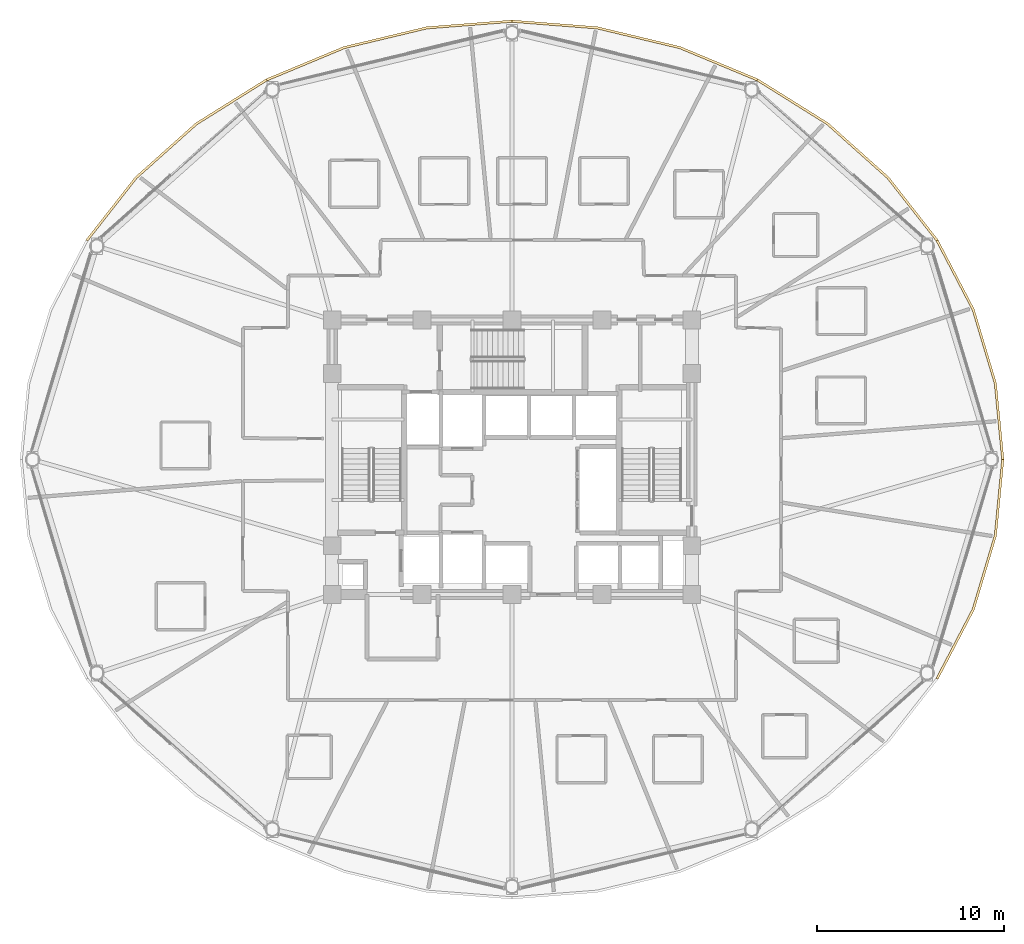
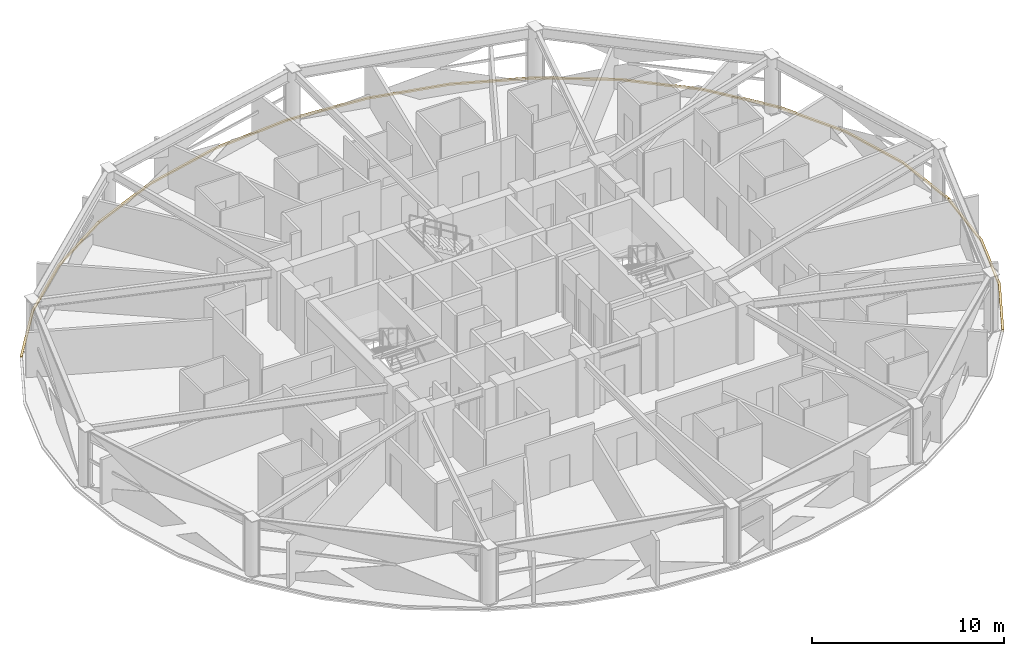
# One storey, part 32 of 32: 6 coverings.
"""IFC4 building model written with IfcOpenShell, lengths in metres."""

from ifc_helpers import new_model, si_unit, direction, frame, origin, place, context, subcontext, project, spatial, polyline, outline, extrude, material, layer, layer_set, type_object, element, save


model = new_model("IFC4")

# Units and contexts
model_context = context("Model", 3, precision=1e-05, world=origin(), true_north=direction((0.0, 1.0)))
body_context = subcontext(model_context, "Body", "Model", "MODEL_VIEW")
ifc_project = project(units=[si_unit("LENGTHUNIT", "METRE"), si_unit("AREAUNIT", "SQUARE_METRE"), si_unit("VOLUMEUNIT", "CUBIC_METRE"), si_unit("PLANEANGLEUNIT", "RADIAN"), si_unit("MASSUNIT", "GRAM", prefix="KILO")], contexts=[model_context])

# Site, building, storey
site_placement = place(None, origin())
site = spatial("IfcSite", under=ifc_project, at=site_placement, CompositionType="ELEMENT")
building_placement = place(site_placement, origin())
building = spatial("IfcBuilding", under=site, at=building_placement, Name="Vantalir Tower", CompositionType="ELEMENT")
storey_placement = place(building_placement, frame((0.0, 0.0, 108.449951171875)))
storey = spatial("IfcBuildingStorey", under=building, at=storey_placement, Name="L26", CompositionType="ELEMENT", Elevation=108.449951171875)

# Coverings
ifc_material = material(Name="Anodised champagne aluminium sill fascia", Category="aluminium")
ifc_layer = layer(ifc_material, 0.125)
ifc_layer_set = layer_set([ifc_layer], Name="Anodised champagne aluminium sill fascia")
covering_type = type_object("IfcCoveringType", Name="COV-SLAB-FASCIA-125", PredefinedType="CLADDING", material=ifc_layer_set)
covering_1_placement = place(storey_placement, frame((0.0, 0.0, -0.179931640625)))
element("IfcCovering", 1, at=covering_1_placement, inside=storey, type_object=covering_type, Name="L26 Perimeter Slab-Edge Sill Fascia 01", PredefinedType="CLADDING", context=body_context, shape_type="SweptSolid", body=[
    extrude(outline(polyline([(57.762939453125, 25.0), (57.364013671875, 29.073974609375), (56.178955078125, 33.02490234375), (54.243896484375, 36.73095703125), (54.135986328125, 36.6689453125), (56.06201171875, 32.98193359375), (57.240966796875, 29.052978515625), (57.637939453125, 25.0), (57.762939453125, 25.0)])), origin(), (0.0, 0.0, 1.0), 0.10498046875),
])
covering_2_placement = place(storey_placement, frame((0.0, 0.0, -0.179931640625)))
element("IfcCovering", 2, at=covering_2_placement, inside=storey, type_object=covering_type, Name="L26 Perimeter Slab-Edge Sill Fascia 02", PredefinedType="CLADDING", context=body_context, shape_type="SweptSolid", body=[
    extrude(outline(polyline([(54.243896484375, 36.73095703125), (51.618896484375, 40.08203125), (48.382080078125, 42.97412109375), (44.632080078125, 45.320068359375), (44.569091796875, 45.2109375), (48.301025390625, 42.8779296875), (51.52294921875, 40.0009765625), (54.135986328125, 36.6689453125), (54.243896484375, 36.73095703125)])), origin(), (0.0, 0.0, 1.0), 0.10498046875),
])
covering_3_placement = place(storey_placement, frame((0.0, 0.0, -0.179931640625)))
element("IfcCovering", 3, at=covering_3_placement, inside=storey, type_object=covering_type, Name="L26 Perimeter Slab-Edge Sill Fascia 03", PredefinedType="CLADDING", context=body_context, shape_type="SweptSolid", body=[
    extrude(outline(polyline([(44.632080078125, 45.320068359375), (40.48193359375, 47.048095703125), (36.06103515625, 48.10693359375), (31.5, 48.462890625), (31.5, 48.337890625), (36.0390625, 47.98291015625), (40.43994140625, 46.930908203125), (44.569091796875, 45.2109375), (44.632080078125, 45.320068359375)])), origin(), (0.0, 0.0, 1.0), 0.10498046875),
])
covering_4_placement = place(storey_placement, frame((0.0, 0.0, -0.179931640625)))
element("IfcCovering", 4, at=covering_4_placement, inside=storey, type_object=covering_type, Name="L26 Perimeter Slab-Edge Sill Fascia 04", PredefinedType="CLADDING", context=body_context, shape_type="SweptSolid", body=[
    extrude(outline(polyline([(31.5, 48.462890625), (26.93896484375, 48.10693359375), (22.51806640625, 47.048095703125), (18.368896484375, 45.320068359375), (18.430908203125, 45.2109375), (22.56005859375, 46.930908203125), (26.9609375, 47.98291015625), (31.5, 48.337890625), (31.5, 48.462890625)])), origin(), (0.0, 0.0, 1.0), 0.10498046875),
])
covering_5_placement = place(storey_placement, frame((0.0, 0.0, -0.179931640625)))
element("IfcCovering", 5, at=covering_5_placement, inside=storey, type_object=covering_type, Name="L26 Perimeter Slab-Edge Sill Fascia 05", PredefinedType="CLADDING", context=body_context, shape_type="SweptSolid", body=[
    extrude(outline(polyline([(18.368896484375, 45.320068359375), (14.617919921875, 42.97412109375), (11.381103515625, 40.08203125), (8.756103515625, 36.73095703125), (8.864013671875, 36.6689453125), (11.47705078125, 40.0009765625), (14.698974609375, 42.8779296875), (18.430908203125, 45.2109375), (18.368896484375, 45.320068359375)])), origin(), (0.0, 0.0, 1.0), 0.10498046875),
])
covering_6_placement = place(storey_placement, frame((0.0, 0.0, -0.179931640625)))
element("IfcCovering", 6, at=covering_6_placement, inside=storey, type_object=covering_type, Name="L26 Perimeter Slab-Edge Sill Fascia 12", PredefinedType="CLADDING", context=body_context, shape_type="SweptSolid", body=[
    extrude(outline(polyline([(54.243896484375, 13.26806640625), (56.178955078125, 16.97509765625), (57.364013671875, 20.926025390625), (57.762939453125, 25.0), (57.637939453125, 25.0), (57.240966796875, 20.947021484375), (56.06201171875, 17.01806640625), (54.135986328125, 13.3310546875), (54.243896484375, 13.26806640625)])), origin(), (0.0, 0.0, 1.0), 0.10498046875),
])

save(model, "model.ifc")
